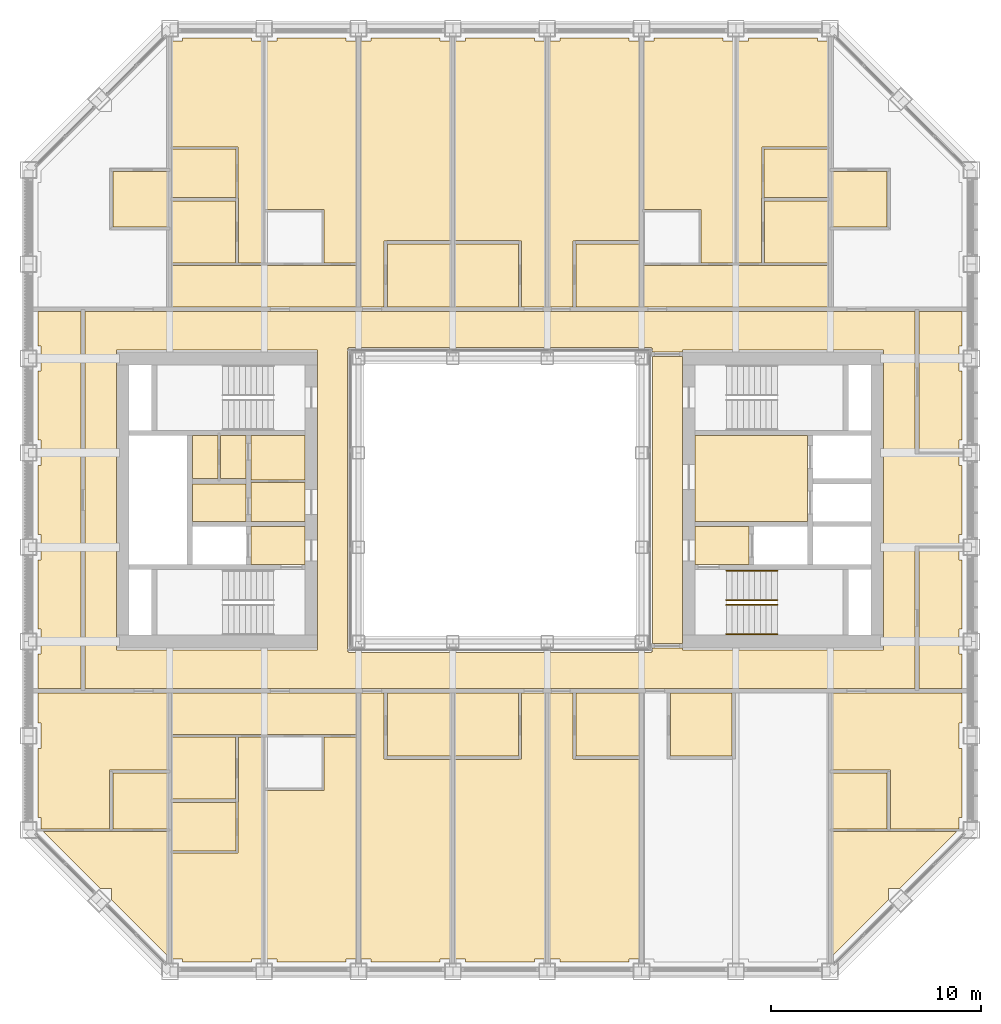
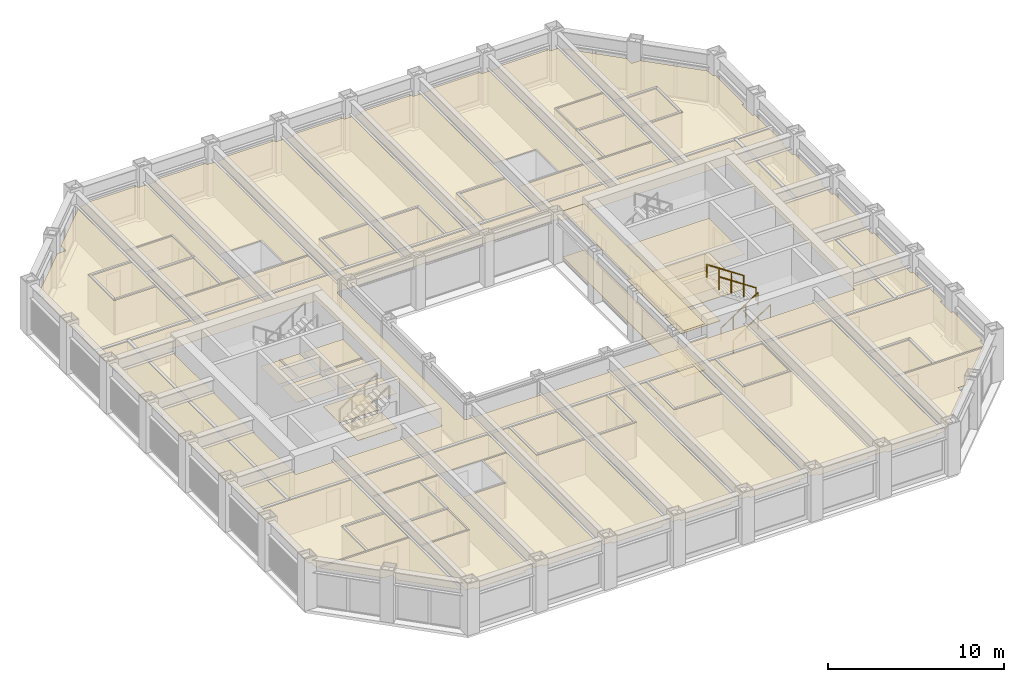
# One storey, part 17 of 18: 6 coverings, 4 railings.
"""IFC4 building model written with IfcOpenShell, lengths in metres."""

from ifc_helpers import new_model, si_unit, direction, frame, origin, origin_2d, place, context, subcontext, project, spatial, line, indexed_curve, circle, outline, extrude, material, layer, layer_set, type_object, element, save


model = new_model("IFC4")

# Units and contexts
model_context = context("Model", 3, precision=1e-05, world=origin(), true_north=direction((0.0, 1.0)))
body_context = subcontext(model_context, "Body", "Model", "MODEL_VIEW")
ifc_project = project(units=[si_unit("LENGTHUNIT", "METRE"), si_unit("AREAUNIT", "SQUARE_METRE"), si_unit("VOLUMEUNIT", "CUBIC_METRE"), si_unit("PLANEANGLEUNIT", "RADIAN"), si_unit("MASSUNIT", "GRAM", prefix="KILO")], contexts=[model_context])

# Site, building, storey
site_placement = place(None, origin())
site = spatial("IfcSite", under=ifc_project, at=site_placement, CompositionType="ELEMENT")
building_placement = place(site_placement, origin())
building = spatial("IfcBuilding", under=site, at=building_placement, Name="Msasa Ring Tower", CompositionType="ELEMENT")
storey_placement = place(building_placement, frame((0.0, 0.0, 183.199951171875)))
storey = spatial("IfcBuildingStorey", under=building, at=storey_placement, Name="L48", CompositionType="ELEMENT", Elevation=183.199951171875)

# Coverings
ifc_material_1 = material(Name="Gypsum plasterboard on a steel suspension grid", Category="steel")
ifc_layer_1 = layer(ifc_material_1, 0.014892578125)
ifc_layer_set_1 = layer_set([ifc_layer_1], Name="C1 SUSPENDED PLASTERBOARD CEILING 15")
covering_type_1 = type_object("IfcCoveringType", Name="C1 SUSPENDED PLASTERBOARD CEILING 15", PredefinedType="CEILING", material=ifc_layer_set_1)
covering_1_placement = place(storey_placement, frame((0.0, 0.0, 2.400146484375)))
element("IfcCovering", 1, at=covering_1_placement, inside=storey, type_object=covering_type_1, Name="Suspended Plasterboard Ceiling 15 circulation L48", PredefinedType="CEILING", context=body_context, shape_type="SweptSolid", body=[
    extrude(outline(indexed_curve([(19.799560546875, 2.199462890625), (21.8994140625, 2.199462890625), (21.8994140625, 1.6494140625), (22.049560546875, 1.6494140625), (22.049560546875, -1.6494140625), (21.8994140625, -1.6494140625), (21.8994140625, -2.199462890625), (19.799560546875, -2.199462890625), (19.799560546875, -8.99951171875), (-19.799560546875, -8.99951171875), (-19.799560546875, 8.99951171875), (19.799560546875, 8.99951171875)], segments=[line(1, 2, 3, 4, 5, 6, 7, 8, 9, 10, 11, 12, 1)], self_intersect=False), holes=[indexed_curve([(8.699462890625, -7.150390625), (18.300537109375, -7.150390625), (18.300537109375, 7.150390625), (8.699462890625, 7.150390625), (8.699462890625, 7.050537109375), (7.280029296875, 7.050537109375), (7.280517578125, 7.23046875), (7.22998046875, 7.23046875), (7.22998046875, 7.280029296875), (-7.22998046875, 7.280029296875), (-7.22998046875, 7.23046875), (-7.280517578125, 7.23046875), (-7.280517578125, -7.23046875), (-7.22998046875, -7.23046875), (-7.22998046875, -7.280029296875), (7.22998046875, -7.280029296875), (7.22998046875, -7.23046875), (7.280517578125, -7.23046875), (7.280029296875, -7.050537109375), (8.699462890625, -7.050537109375)], segments=[line(1, 2, 3, 4, 5, 6, 7, 8, 9, 10, 11, 12, 13, 14, 15, 16, 17, 18, 19, 20, 1)], self_intersect=False), indexed_curve([(-8.699462890625, 7.150390625), (-18.300537109375, 7.150390625), (-18.300537109375, -7.150390625), (-8.699462890625, -7.150390625)], segments=[line(1, 2, 3, 4, 1)], self_intersect=False)]), origin(), (0.0, 0.0, 1.0), 0.014892578125),
    extrude(outline(indexed_curve([(-15.6494140625, -11.199462890625), (-15.6494140625, -9.200439453125), (-6.8505859375, -9.200439453125), (-6.8505859375, -11.199462890625)], segments=[line(1, 2, 3, 4, 1)], self_intersect=False)), origin(), (0.0, 0.0, 1.0), 0.014892578125),
    extrude(outline(indexed_curve([(-15.6494140625, 9.200439453125), (-15.6494140625, 11.199462890625), (-6.8505859375, 11.199462890625), (-6.8505859375, 9.200439453125)], segments=[line(1, 2, 3, 4, 1)], self_intersect=False)), origin(), (0.0, 0.0, 1.0), 0.014892578125),
    extrude(outline(indexed_curve([(-11.87451171875, -3.074462890625), (-11.87451171875, -1.275390625), (-9.300537109375, -1.275390625), (-9.300537109375, -3.074462890625)], segments=[line(1, 2, 3, 4, 1)], self_intersect=False)), origin(), (0.0, 0.0, 1.0), 0.014892578125),
    extrude(outline(indexed_curve([(-11.87451171875, -1.0244140625), (-11.87451171875, 0.844482421875), (-9.300537109375, 0.844482421875), (-9.300537109375, -1.0244140625)], segments=[line(1, 2, 3, 4, 1)], self_intersect=False)), origin(), (0.0, 0.0, 1.0), 0.014892578125),
    extrude(outline(indexed_curve([(6.8505859375, 9.200439453125), (6.8505859375, 11.199462890625), (15.6494140625, 11.199462890625), (15.6494140625, 9.200439453125)], segments=[line(1, 2, 3, 4, 1)], self_intersect=False)), origin(), (0.0, 0.0, 1.0), 0.014892578125),
    extrude(outline(indexed_curve([(9.300537109375, -3.074462890625), (9.300537109375, -1.275390625), (11.87451171875, -1.275390625), (11.87451171875, -3.074462890625)], segments=[line(1, 2, 3, 4, 1)], self_intersect=False)), origin(), (0.0, 0.0, 1.0), 0.014892578125),
    extrude(outline(indexed_curve([(9.300537109375, -1.0244140625), (9.300537109375, 3.074462890625), (14.674560546875, 3.074462890625), (14.674560546875, -1.0244140625)], segments=[line(1, 2, 3, 4, 1)], self_intersect=False)), origin(), (0.0, 0.0, 1.0), 0.014892578125),
])
covering_2_placement = place(storey_placement, frame((0.0, 0.0, 3.199951171875)))
element("IfcCovering", 2, at=covering_2_placement, inside=storey, type_object=covering_type_1, Name="Suspended Plasterboard Ceiling 15 public rooms L48", PredefinedType="CEILING", context=body_context, shape_type="SweptSolid", body=[
    extrude(outline(indexed_curve([(8.699462890625, 6.849609375), (8.699462890625, -6.849609375), (7.280029296875, -6.849609375), (7.280029296875, 6.849609375)], segments=[line(1, 2, 3, 4, 1)], self_intersect=False)), origin(), (0.0, 0.0, 1.0), 0.01513671875),
])
covering_3_placement = place(storey_placement, frame((0.0, 0.0, 2.407958984375)))
element("IfcCovering", 3, at=covering_3_placement, inside=storey, type_object=covering_type_1, Name="Suspended Plasterboard Ceiling 15 L48", PredefinedType="CEILING", context=body_context, shape_type="SweptSolid", body=[
    extrude(outline(indexed_curve([(-22.049560546875, -11.8505859375), (-21.8994140625, -11.8505859375), (-21.8994140625, -10.6494140625), (-22.049560546875, -10.6494140625), (-22.049560546875, -9.200439453125), (-15.8505859375, -9.200439453125), (-15.8505859375, -12.869384765625), (-18.630615234375, -12.869384765625), (-18.630615234375, -15.694580078125), (-21.8994140625, -15.694580078125), (-21.8994140625, -15.1494140625), (-22.049560546875, -15.1494140625)], segments=[line(1, 2, 3, 4, 5, 6, 7, 8, 9, 10, 11, 12, 1)], self_intersect=False)), origin(), (0.0, 0.0, 1.0), 0.01513671875),
    extrude(outline(indexed_curve([(-15.8505859375, 12.869384765625), (-15.8505859375, 9.200439453125), (-22.049560546875, 9.200439453125), (-22.049560546875, 10.6494140625), (-21.8994140625, 10.6494140625), (-21.8994140625, 11.8505859375), (-22.049560546875, 11.8505859375), (-22.049560546875, 15.1494140625), (-21.8994140625, 15.1494140625), (-21.8994140625, 15.71337890625), (-19.08837890625, 18.5244140625), (-18.5244140625, 18.5244140625), (-18.5244140625, 19.08837890625), (-15.8505859375, 21.762451171875), (-15.8505859375, 15.83056640625), (-18.630615234375, 15.83056640625), (-18.630615234375, 12.869384765625)], segments=[line(1, 2, 3, 4, 5, 6, 7, 8, 9, 10, 11, 12, 13, 14, 15, 16, 17, 1)], self_intersect=False)), origin(), (0.0, 0.0, 1.0), 0.01513671875),
    extrude(outline(indexed_curve([(-18.5244140625, -19.08837890625), (-18.5244140625, -18.5244140625), (-19.08837890625, -18.5244140625), (-21.807373046875, -15.805419921875), (-15.8505859375, -15.805419921875), (-15.8505859375, -21.762451171875)], segments=[line(1, 2, 3, 4, 5, 6, 1)], self_intersect=False)), origin(), (0.0, 0.0, 1.0), 0.01513671875),
    extrude(outline(indexed_curve([(-11.310546875, -21.8994140625), (-11.8505859375, -21.8994140625), (-11.8505859375, -22.049560546875), (-15.1494140625, -22.049560546875), (-15.1494140625, -21.8994140625), (-15.662109375, -21.8994140625), (-15.662109375, -16.8505859375), (-12.49951171875, -16.8505859375), (-12.49951171875, -14.39990234375), (-12.474609375, -14.39990234375), (-12.474609375, -11.300537109375), (-11.310546875, -11.300537109375)], segments=[line(1, 2, 3, 4, 5, 6, 7, 8, 9, 10, 11, 12, 1)], self_intersect=False)), origin(), (0.0, 0.0, 1.0), 0.01513671875),
    extrude(outline(indexed_curve([(-12.6005859375, -14.430419921875), (-12.6005859375, -16.744384765625), (-15.662109375, -16.744384765625), (-15.662109375, -14.430419921875)], segments=[line(1, 2, 3, 4, 1)], self_intersect=False)), origin(), (0.0, 0.0, 1.0), 0.01513671875),
    extrude(outline(indexed_curve([(-11.8505859375, 22.049560546875), (-11.8505859375, 21.8994140625), (-11.310546875, 21.8994140625), (-11.310546875, 11.300537109375), (-12.474609375, 11.300537109375), (-12.474609375, 14.39990234375), (-12.49951171875, 14.39990234375), (-12.49951171875, 16.8505859375), (-15.662109375, 16.8505859375), (-15.662109375, 21.8994140625), (-15.1494140625, 21.8994140625), (-15.1494140625, 22.049560546875)], segments=[line(1, 2, 3, 4, 5, 6, 7, 8, 9, 10, 11, 12, 1)], self_intersect=False)), origin(), (0.0, 0.0, 1.0), 0.01513671875),
    extrude(outline(indexed_curve([(-12.6005859375, 16.744384765625), (-12.6005859375, 14.430419921875), (-15.662109375, 14.430419921875), (-15.662109375, 16.744384765625)], segments=[line(1, 2, 3, 4, 1)], self_intersect=False)), origin(), (0.0, 0.0, 1.0), 0.01513671875),
    extrude(outline(indexed_curve([(-13.45556640625, 3.074462890625), (-13.45556640625, 1.025390625), (-14.674560546875, 1.025390625), (-14.674560546875, 3.074462890625)], segments=[line(1, 2, 3, 4, 1)], self_intersect=False)), origin(), (0.0, 0.0, 1.0), 0.01513671875),
    extrude(outline(indexed_curve([(-6.837890625, -11.300537109375), (-6.837890625, -21.8994140625), (-7.3505859375, -21.8994140625), (-7.3505859375, -22.049560546875), (-10.6494140625, -22.049560546875), (-10.6494140625, -21.8994140625), (-11.189453125, -21.8994140625), (-11.189453125, -13.8505859375), (-8.3994140625, -13.8505859375), (-8.3994140625, -11.300537109375)], segments=[line(1, 2, 3, 4, 5, 6, 7, 8, 9, 10, 1)], self_intersect=False)), origin(), (0.0, 0.0, 1.0), 0.01513671875),
    extrude(outline(indexed_curve([(-7.3505859375, 22.049560546875), (-7.3505859375, 21.8994140625), (-6.837890625, 21.8994140625), (-6.837890625, 11.300537109375), (-8.3994140625, 11.300537109375), (-8.3994140625, 13.8505859375), (-11.189453125, 13.8505859375), (-11.189453125, 21.8994140625), (-10.6494140625, 21.8994140625), (-10.6494140625, 22.049560546875)], segments=[line(1, 2, 3, 4, 5, 6, 7, 8, 9, 10, 1)], self_intersect=False)), origin(), (0.0, 0.0, 1.0), 0.01513671875),
    extrude(outline(indexed_curve([(-6.6494140625, -9.200439453125), (-5.525390625, -9.200439453125), (-5.525390625, -12.35009765625), (-5.39990234375, -12.3505859375), (-5.39990234375, -12.37548828125), (-2.3505859375, -12.37548828125), (-2.3505859375, -21.8994140625), (-2.8505859375, -21.8994140625), (-2.8505859375, -22.049560546875), (-6.1494140625, -22.049560546875), (-6.1494140625, -21.8994140625), (-6.6494140625, -21.8994140625)], segments=[line(1, 2, 3, 4, 5, 6, 7, 8, 9, 10, 11, 12, 1)], self_intersect=False)), origin(), (0.0, 0.0, 1.0), 0.01513671875),
    extrude(outline(indexed_curve([(-6.6494140625, 21.8994140625), (-6.1494140625, 21.8994140625), (-6.1494140625, 22.049560546875), (-2.8505859375, 22.049560546875), (-2.8505859375, 21.8994140625), (-2.3505859375, 21.8994140625), (-2.3505859375, 12.37548828125), (-5.39990234375, 12.37548828125), (-5.39990234375, 12.3505859375), (-5.525390625, 12.35009765625), (-5.525390625, 9.200439453125), (-6.6494140625, 9.200439453125)], segments=[line(1, 2, 3, 4, 5, 6, 7, 8, 9, 10, 11, 12, 1)], self_intersect=False)), origin(), (0.0, 0.0, 1.0), 0.01513671875),
    extrude(outline(indexed_curve([(2.1494140625, -21.8994140625), (1.6494140625, -21.8994140625), (1.6494140625, -22.049560546875), (-1.6494140625, -22.049560546875), (-1.6494140625, -21.8994140625), (-2.1494140625, -21.8994140625), (-2.1494140625, -12.37548828125), (0.89990234375, -12.37548828125), (0.89990234375, -12.3505859375), (1.025390625, -12.35009765625), (1.025390625, -9.200439453125), (2.1494140625, -9.200439453125)], segments=[line(1, 2, 3, 4, 5, 6, 7, 8, 9, 10, 11, 12, 1)], self_intersect=False)), origin(), (0.0, 0.0, 1.0), 0.01513671875),
    extrude(outline(indexed_curve([(2.1494140625, 9.200439453125), (1.025390625, 9.200439453125), (1.025390625, 12.35009765625), (0.89990234375, 12.3505859375), (0.89990234375, 12.37548828125), (-2.1494140625, 12.37548828125), (-2.1494140625, 21.8994140625), (-1.6494140625, 21.8994140625), (-1.6494140625, 22.049560546875), (1.6494140625, 22.049560546875), (1.6494140625, 21.8994140625), (2.1494140625, 21.8994140625)], segments=[line(1, 2, 3, 4, 5, 6, 7, 8, 9, 10, 11, 12, 1)], self_intersect=False)), origin(), (0.0, 0.0, 1.0), 0.01513671875),
    extrude(outline(indexed_curve([(2.8505859375, -22.049560546875), (2.8505859375, -21.8994140625), (2.3505859375, -21.8994140625), (2.3505859375, -9.200439453125), (3.474609375, -9.200439453125), (3.474609375, -12.35009765625), (3.60009765625, -12.3505859375), (3.60009765625, -12.37548828125), (6.6494140625, -12.37548828125), (6.6494140625, -21.8994140625), (6.1494140625, -21.8994140625), (6.1494140625, -22.049560546875)], segments=[line(1, 2, 3, 4, 5, 6, 7, 8, 9, 10, 11, 12, 1)], self_intersect=False)), origin(), (0.0, 0.0, 1.0), 0.01513671875),
    extrude(outline(indexed_curve([(2.3505859375, 9.200439453125), (2.3505859375, 21.8994140625), (2.8505859375, 21.8994140625), (2.8505859375, 22.049560546875), (6.1494140625, 22.049560546875), (6.1494140625, 21.8994140625), (6.6494140625, 21.8994140625), (6.6494140625, 12.37548828125), (3.60009765625, 12.37548828125), (3.60009765625, 12.3505859375), (3.474609375, 12.35009765625), (3.474609375, 9.200439453125)], segments=[line(1, 2, 3, 4, 5, 6, 7, 8, 9, 10, 11, 12, 1)], self_intersect=False)), origin(), (0.0, 0.0, 1.0), 0.01513671875),
    extrude(outline(indexed_curve([(11.189453125, 11.300537109375), (9.6005859375, 11.300537109375), (9.6005859375, 13.8505859375), (6.837890625, 13.8505859375), (6.837890625, 21.8994140625), (7.3505859375, 21.8994140625), (7.3505859375, 22.049560546875), (10.6494140625, 22.049560546875), (10.6494140625, 21.8994140625), (11.189453125, 21.8994140625)], segments=[line(1, 2, 3, 4, 5, 6, 7, 8, 9, 10, 1)], self_intersect=False)), origin(), (0.0, 0.0, 1.0), 0.01513671875),
    extrude(outline(indexed_curve([(8.10009765625, -12.3505859375), (8.10009765625, -12.37548828125), (11.10009765625, -12.37548828125), (11.10009765625, -12.3505859375), (11.2255859375, -12.35009765625), (11.2255859375, -9.200439453125), (15.6494140625, -9.200439453125), (15.6494140625, -21.8994140625), (15.1494140625, -21.8994140625), (15.1494140625, -22.049560546875), (11.8505859375, -22.049560546875), (11.8505859375, -21.8994140625), (10.6494140625, -21.8994140625), (10.6494140625, -22.049560546875), (7.3505859375, -22.049560546875), (7.3505859375, -21.8994140625), (6.8505859375, -21.8994140625), (6.8505859375, -9.200439453125), (7.974609375, -9.200439453125), (7.974609375, -12.35009765625)], segments=[line(1, 2, 3, 4, 5, 6, 7, 8, 9, 10, 11, 12, 13, 14, 15, 16, 17, 18, 19, 20, 1)], self_intersect=False)), origin(), (0.0, 0.0, 1.0), 0.01513671875),
    extrude(outline(indexed_curve([(15.1494140625, 22.049560546875), (15.1494140625, 21.8994140625), (15.662109375, 21.8994140625), (15.662109375, 16.8505859375), (12.49951171875, 16.8505859375), (12.49951171875, 14.39990234375), (12.474609375, 14.39990234375), (12.474609375, 11.300537109375), (11.310546875, 11.300537109375), (11.310546875, 21.8994140625), (11.8505859375, 21.8994140625), (11.8505859375, 22.049560546875)], segments=[line(1, 2, 3, 4, 5, 6, 7, 8, 9, 10, 11, 12, 1)], self_intersect=False)), origin(), (0.0, 0.0, 1.0), 0.01513671875),
    extrude(outline(indexed_curve([(15.662109375, 16.744384765625), (15.662109375, 14.430419921875), (12.6005859375, 14.430419921875), (12.6005859375, 16.744384765625)], segments=[line(1, 2, 3, 4, 1)], self_intersect=False)), origin(), (0.0, 0.0, 1.0), 0.01513671875),
    extrude(outline(indexed_curve([(15.8505859375, -15.805419921875), (21.807373046875, -15.805419921875), (19.08837890625, -18.5244140625), (18.5244140625, -18.5244140625), (18.5244140625, -19.08837890625), (15.8505859375, -21.762451171875)], segments=[line(1, 2, 3, 4, 5, 6, 1)], self_intersect=False)), origin(), (0.0, 0.0, 1.0), 0.01513671875),
    extrude(outline(indexed_curve([(15.8505859375, -9.200439453125), (22.049560546875, -9.200439453125), (22.049560546875, -10.6494140625), (21.8994140625, -10.6494140625), (21.8994140625, -11.8505859375), (22.049560546875, -11.8505859375), (22.049560546875, -15.1494140625), (21.8994140625, -15.1494140625), (21.8994140625, -15.694580078125), (18.630615234375, -15.694580078125), (18.630615234375, -12.869384765625), (15.8505859375, -12.869384765625)], segments=[line(1, 2, 3, 4, 5, 6, 7, 8, 9, 10, 11, 12, 1)], self_intersect=False)), origin(), (0.0, 0.0, 1.0), 0.01513671875),
    extrude(outline(indexed_curve([(15.8505859375, 21.762451171875), (18.5244140625, 19.08837890625), (18.5244140625, 18.5244140625), (19.08837890625, 18.5244140625), (21.8994140625, 15.71337890625), (21.8994140625, 15.1494140625), (22.049560546875, 15.1494140625), (22.049560546875, 11.8505859375), (21.8994140625, 11.8505859375), (21.8994140625, 10.6494140625), (22.049560546875, 10.6494140625), (22.049560546875, 9.200439453125), (15.8505859375, 9.200439453125), (15.8505859375, 12.869384765625), (18.630615234375, 12.869384765625), (18.630615234375, 15.83056640625), (15.8505859375, 15.83056640625)], segments=[line(1, 2, 3, 4, 5, 6, 7, 8, 9, 10, 11, 12, 13, 14, 15, 16, 17, 1)], self_intersect=False)), origin(), (0.0, 0.0, 1.0), 0.01513671875),
])
ifc_material_2 = material(Name="Moisture-resistant gypsum plasterboard on a steel suspension grid", Category="steel")
ifc_layer_2 = layer(ifc_material_2, 0.014892578125)
ifc_layer_set_2 = layer_set([ifc_layer_2], Name="C2 MOISTURE-RESISTANT PLASTERBOARD CEILING 15")
covering_type_2 = type_object("IfcCoveringType", Name="C2 MOISTURE-RESISTANT PLASTERBOARD CEILING 15", PredefinedType="CEILING", material=ifc_layer_set_2)
covering_4_placement = place(storey_placement, frame((0.0, 0.0, 2.400146484375)))
element("IfcCovering", 4, at=covering_4_placement, inside=storey, type_object=covering_type_2, Name="Moisture-Resistant Plasterboard Ceiling 15 L48", PredefinedType="CEILING", context=body_context, shape_type="SweptSolid", body=[
    extrude(outline(indexed_curve([(-18.469482421875, -15.694580078125), (-18.469482421875, -13.030517578125), (-15.8505859375, -13.030517578125), (-15.8505859375, -15.694580078125)], segments=[line(1, 2, 3, 4, 1)], self_intersect=False)), origin(), (0.0, 0.0, 1.0), 0.014892578125),
    extrude(outline(indexed_curve([(-18.469482421875, 15.66943359375), (-15.8505859375, 15.66943359375), (-15.8505859375, 13.030517578125), (-18.469482421875, 13.030517578125)], segments=[line(1, 2, 3, 4, 1)], self_intersect=False)), origin(), (0.0, 0.0, 1.0), 0.014892578125),
    extrude(outline(indexed_curve([(-12.62548828125, -11.300537109375), (-12.62548828125, -14.2744140625), (-15.662109375, -14.2744140625), (-15.662109375, -11.300537109375)], segments=[line(1, 2, 3, 4, 1)], self_intersect=False)), origin(), (0.0, 0.0, 1.0), 0.014892578125),
    extrude(outline(indexed_curve([(-15.662109375, 11.300537109375), (-15.662109375, 14.2744140625), (-12.62548828125, 14.2744140625), (-12.62548828125, 11.300537109375)], segments=[line(1, 2, 3, 4, 1)], self_intersect=False)), origin(), (0.0, 0.0, 1.0), 0.014892578125),
    extrude(outline(indexed_curve([(-14.674560546875, 0.7744140625), (-12.12548828125, 0.7744140625), (-12.12548828125, -1.0244140625), (-14.674560546875, -1.0244140625)], segments=[line(1, 2, 3, 4, 1)], self_intersect=False)), origin(), (0.0, 0.0, 1.0), 0.014892578125),
    extrude(outline(indexed_curve([(-2.3505859375, -9.200439453125), (-2.3505859375, -12.224609375), (-5.37451171875, -12.224609375), (-5.37451171875, -9.200439453125)], segments=[line(1, 2, 3, 4, 1)], self_intersect=False)), origin(), (0.0, 0.0, 1.0), 0.014892578125),
    extrude(outline(indexed_curve([(-2.3505859375, 9.200439453125), (-5.37451171875, 9.200439453125), (-5.37451171875, 12.224609375), (-2.3505859375, 12.224609375)], segments=[line(1, 2, 3, 4, 1)], self_intersect=False)), origin(), (0.0, 0.0, 1.0), 0.014892578125),
    extrude(outline(indexed_curve([(-2.1494140625, -9.200439453125), (0.87451171875, -9.200439453125), (0.87451171875, -12.224609375), (-2.1494140625, -12.224609375)], segments=[line(1, 2, 3, 4, 1)], self_intersect=False)), origin(), (0.0, 0.0, 1.0), 0.014892578125),
    extrude(outline(indexed_curve([(-2.1494140625, 12.224609375), (0.87451171875, 12.224609375), (0.87451171875, 9.200439453125), (-2.1494140625, 9.200439453125)], segments=[line(1, 2, 3, 4, 1)], self_intersect=False)), origin(), (0.0, 0.0, 1.0), 0.014892578125),
    extrude(outline(indexed_curve([(6.6494140625, -9.200439453125), (6.6494140625, -12.224609375), (3.62548828125, -12.224609375), (3.62548828125, -9.200439453125)], segments=[line(1, 2, 3, 4, 1)], self_intersect=False)), origin(), (0.0, 0.0, 1.0), 0.014892578125),
    extrude(outline(indexed_curve([(6.6494140625, 9.200439453125), (3.62548828125, 9.200439453125), (3.62548828125, 12.224609375), (6.6494140625, 12.224609375)], segments=[line(1, 2, 3, 4, 1)], self_intersect=False)), origin(), (0.0, 0.0, 1.0), 0.014892578125),
    extrude(outline(indexed_curve([(11.074462890625, -9.200439453125), (11.074462890625, -12.224609375), (8.12548828125, -12.224609375), (8.12548828125, -9.200439453125)], segments=[line(1, 2, 3, 4, 1)], self_intersect=False)), origin(), (0.0, 0.0, 1.0), 0.014892578125),
    extrude(outline(indexed_curve([(12.62548828125, 11.300537109375), (12.62548828125, 14.2744140625), (15.662109375, 14.2744140625), (15.662109375, 11.300537109375)], segments=[line(1, 2, 3, 4, 1)], self_intersect=False)), origin(), (0.0, 0.0, 1.0), 0.014892578125),
    extrude(outline(indexed_curve([(15.8505859375, -13.030517578125), (18.469482421875, -13.030517578125), (18.469482421875, -15.694580078125), (15.8505859375, -15.694580078125)], segments=[line(1, 2, 3, 4, 1)], self_intersect=False)), origin(), (0.0, 0.0, 1.0), 0.014892578125),
    extrude(outline(indexed_curve([(15.8505859375, 15.66943359375), (18.469482421875, 15.66943359375), (18.469482421875, 13.030517578125), (15.8505859375, 13.030517578125)], segments=[line(1, 2, 3, 4, 1)], self_intersect=False)), origin(), (0.0, 0.0, 1.0), 0.014892578125),
])
ifc_material_3 = material(Name="Mineral fibre ceiling tiles on an exposed steel grid", Category="steel")
ifc_layer_3 = layer(ifc_material_3, 0.02001953125)
ifc_layer_set_3 = layer_set([ifc_layer_3], Name="C3 ACOUSTIC MINERAL FIBRE TILE CEILING 20")
covering_type_3 = type_object("IfcCoveringType", Name="C3 ACOUSTIC MINERAL FIBRE TILE CEILING 20", PredefinedType="CEILING", material=ifc_layer_set_3)
covering_5_placement = place(storey_placement, frame((0.0, 0.0, 2.408935546875)))
element("IfcCovering", 5, at=covering_5_placement, inside=storey, type_object=covering_type_3, Name="Acoustic Mineral Fibre Tile Ceiling 20 L48", PredefinedType="CEILING", context=body_context, shape_type="SweptSolid", body=[
    extrude(outline(indexed_curve([(-22.049560546875, -7.3505859375), (-21.8994140625, -7.3505859375), (-21.8994140625, -6.1494140625), (-22.049560546875, -6.1494140625), (-22.049560546875, -2.8505859375), (-21.8994140625, -2.8505859375), (-21.8994140625, -1.6494140625), (-22.049560546875, -1.6494140625), (-22.049560546875, 1.6494140625), (-21.8994140625, 1.6494140625), (-21.8994140625, 2.8505859375), (-22.049560546875, 2.8505859375), (-22.049560546875, 6.1494140625), (-21.8994140625, 6.1494140625), (-21.8994140625, 7.3505859375), (-22.049560546875, 7.3505859375), (-22.049560546875, 8.99951171875), (-20.00048828125, 8.99951171875), (-20.00048828125, -8.99951171875), (-22.049560546875, -8.99951171875)], segments=[line(1, 2, 3, 4, 5, 6, 7, 8, 9, 10, 11, 12, 13, 14, 15, 16, 17, 18, 19, 20, 1)], self_intersect=False)), origin(), (0.0, 0.0, 1.0), 0.02001953125),
    extrude(outline(indexed_curve([(-13.344482421875, 3.074462890625), (-12.12548828125, 3.074462890625), (-12.12548828125, 1.025390625), (-13.344482421875, 1.025390625)], segments=[line(1, 2, 3, 4, 1)], self_intersect=False)), origin(), (0.0, 0.0, 1.0), 0.02001953125),
    extrude(outline(indexed_curve([(-9.300537109375, 0.95556640625), (-11.87451171875, 0.95556640625), (-11.87451171875, 3.074462890625), (-9.300537109375, 3.074462890625)], segments=[line(1, 2, 3, 4, 1)], self_intersect=False)), origin(), (0.0, 0.0, 1.0), 0.02001953125),
    extrude(outline(indexed_curve([(21.8994140625, -2.305419921875), (21.8994140625, -2.8505859375), (22.049560546875, -2.8505859375), (22.049560546875, -6.1494140625), (21.8994140625, -6.1494140625), (21.8994140625, -7.3505859375), (22.049560546875, -7.3505859375), (22.049560546875, -8.99951171875), (20.00048828125, -8.99951171875), (20.00048828125, -2.305419921875)], segments=[line(1, 2, 3, 4, 5, 6, 7, 8, 9, 10, 1)], self_intersect=False)), origin(), (0.0, 0.0, 1.0), 0.02001953125),
    extrude(outline(indexed_curve([(22.049560546875, 7.3505859375), (21.8994140625, 7.3505859375), (21.8994140625, 6.1494140625), (22.049560546875, 6.1494140625), (22.049560546875, 2.8505859375), (21.8994140625, 2.8505859375), (21.8994140625, 2.305419921875), (20.00048828125, 2.305419921875), (20.00048828125, 8.99951171875), (22.049560546875, 8.99951171875)], segments=[line(1, 2, 3, 4, 5, 6, 7, 8, 9, 10, 1)], self_intersect=False)), origin(), (0.0, 0.0, 1.0), 0.02001953125),
])
ifc_material_4 = material(Name="Honed granite tiles on a mortar bed", Category="masonry")
ifc_layer_4 = layer(ifc_material_4, 0.030029296875)
ifc_layer_set_4 = layer_set([ifc_layer_4], Name="F1 HONED GRANITE ON BEDDING 30")
covering_type_4 = type_object("IfcCoveringType", Name="F1 HONED GRANITE ON BEDDING 30", PredefinedType="FLOORING", material=ifc_layer_set_4)
covering_6_placement = place(storey_placement, origin())
element("IfcCovering", 6, at=covering_6_placement, inside=storey, type_object=covering_type_4, Name="Honed Granite On Bedding 30 L48", PredefinedType="FLOORING", context=body_context, shape_type="SweptSolid", body=[
    extrude(outline(indexed_curve([(-11.87451171875, -3.074462890625), (-11.87451171875, -1.275390625), (-9.300537109375, -1.275390625), (-9.300537109375, -3.074462890625)], segments=[line(1, 2, 3, 4, 1)], self_intersect=False)), origin(), (0.0, 0.0, 1.0), 0.030029296875),
    extrude(outline(indexed_curve([(-11.87451171875, -1.0244140625), (-11.87451171875, 0.844482421875), (-9.300537109375, 0.844482421875), (-9.300537109375, -1.0244140625)], segments=[line(1, 2, 3, 4, 1)], self_intersect=False)), origin(), (0.0, 0.0, 1.0), 0.030029296875),
    extrude(outline(indexed_curve([(8.699462890625, 6.849609375), (8.699462890625, -6.849609375), (7.280029296875, -6.849609375), (7.280029296875, 6.849609375)], segments=[line(1, 2, 3, 4, 1)], self_intersect=False)), origin(), (0.0, 0.0, 1.0), 0.030029296875),
    extrude(outline(indexed_curve([(9.300537109375, -3.074462890625), (9.300537109375, -1.275390625), (11.87451171875, -1.275390625), (11.87451171875, -3.074462890625)], segments=[line(1, 2, 3, 4, 1)], self_intersect=False)), origin(), (0.0, 0.0, 1.0), 0.030029296875),
    extrude(outline(indexed_curve([(9.300537109375, 3.074462890625), (14.674560546875, 3.074462890625), (14.674560546875, -1.0244140625), (9.300537109375, -1.0244140625)], segments=[line(1, 2, 3, 4, 1)], self_intersect=False)), origin(), (0.0, 0.0, 1.0), 0.030029296875),
])

# Railings
ifc_material_5 = material(Name="Stainless steel", Category="steel")
railing_type = type_object("IfcRailingType", Name="HR1 HANDRAIL 900", PredefinedType="HANDRAIL", material=ifc_material_5)
for number, where, name in (
    (7, (10.800048828125, -6.39990234375, 0.179931640625), "Handrail stair SEA L48 1"),
    (8, (10.800048828125, -5.0, 0.179931640625), "Handrail stair SEA L48 2"),
):
    element("IfcRailing", number, at=place(storey_placement, frame(where)), inside=storey, type_object=railing_type, Name=name, PredefinedType="HANDRAIL", context=body_context, shape_type="SweptSolid", body=[
        extrude(circle(Radius=0.02392578125, at=origin_2d()), frame((0.0, 0.0, 0.8759765625), z_axis=(0.832024571796, 0.0, 0.554738778101), x_axis=(0.0, 1.0, 0.0)), (0.0, 0.0, 1.0), 2.92041015625),
        extrude(circle(Radius=0.02099609375, at=origin_2d()), origin(), (0.0, 0.0, 1.0), 0.851806640625),
        extrude(circle(Radius=0.02099609375, at=origin_2d()), frame((0.81005859375, 0.0, 0.5400390625)), (0.0, 0.0, 1.0), 0.851806640625),
        extrude(circle(Radius=0.02099609375, at=origin_2d()), frame((1.619873046875, 0.0, 1.080078125)), (0.0, 0.0, 1.0), 0.851806640625),
        extrude(circle(Radius=0.02099609375, at=origin_2d()), frame((2.429931640625, 0.0, 1.6201171875)), (0.0, 0.0, 1.0), 0.851806640625),
    ])
for number, where, name in (
    (9, (13.22998046875, -4.77490234375, 1.97998046875), "Handrail stair SEA L48 3"),
    (10, (13.22998046875, -3.375, 1.97998046875), "Handrail stair SEA L48 4"),
):
    element("IfcRailing", number, at=place(storey_placement, frame(where)), inside=storey, type_object=railing_type, Name=name, PredefinedType="HANDRAIL", context=body_context, shape_type="SweptSolid", body=[
        extrude(circle(Radius=0.02392578125, at=origin_2d()), frame((0.0, 0.0, 0.8759765625), z_axis=(-0.832024571796, 0.0, 0.554738778101), x_axis=(0.0, -1.0, 0.0)), (0.0, 0.0, 1.0), 2.92041015625),
        extrude(circle(Radius=0.02099609375, at=origin_2d()), origin(), (0.0, 0.0, 1.0), 0.851806640625),
        extrude(circle(Radius=0.02099609375, at=origin_2d()), frame((-0.81005859375, 0.0, 0.5400390625)), (0.0, 0.0, 1.0), 0.851806640625),
        extrude(circle(Radius=0.02099609375, at=origin_2d()), frame((-1.619873046875, 0.0, 1.080078125)), (0.0, 0.0, 1.0), 0.851806640625),
        extrude(circle(Radius=0.02099609375, at=origin_2d()), frame((-2.429931640625, 0.0, 1.6201171875)), (0.0, 0.0, 1.0), 0.851806640625),
    ])

save(model, "model.ifc")
